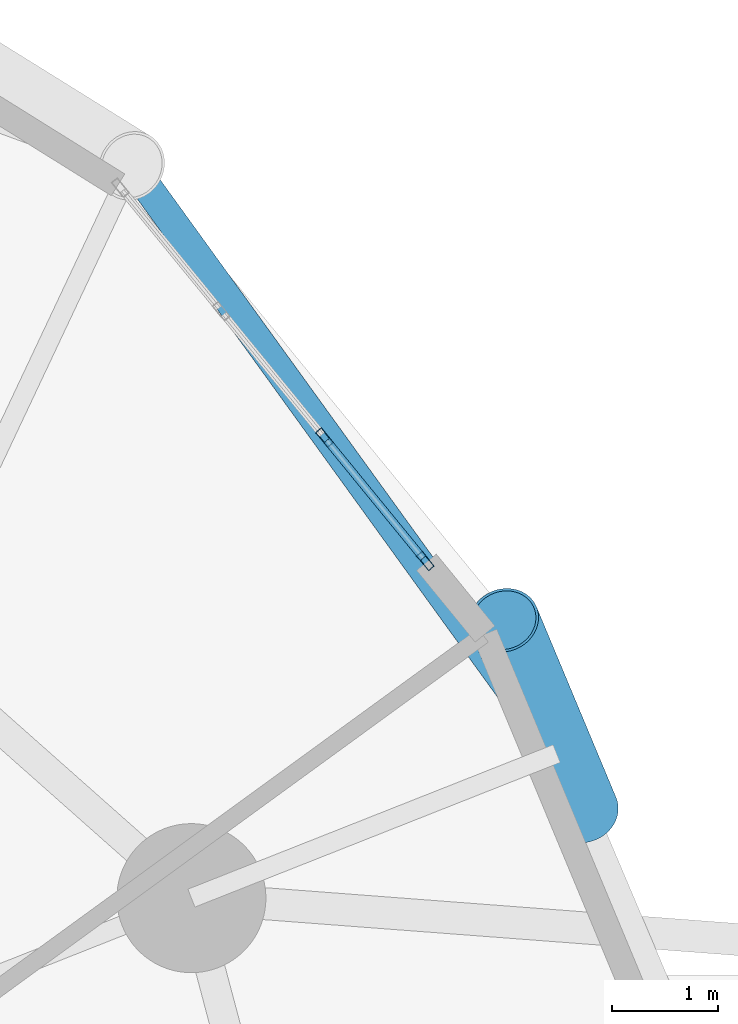
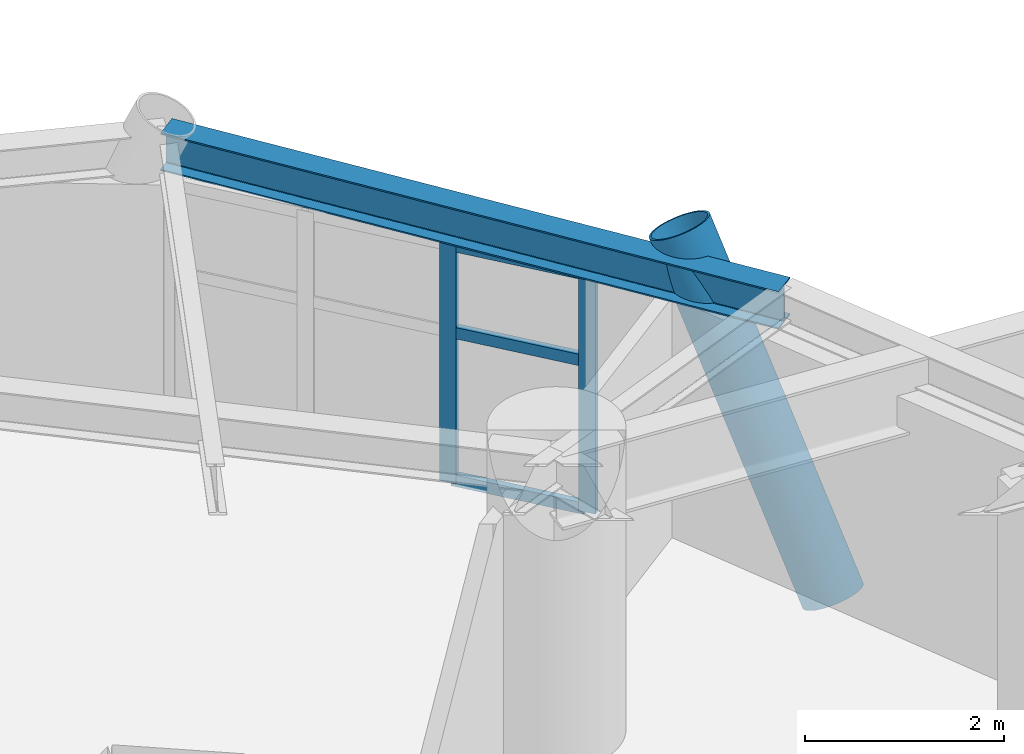
# One storey, part 3 of 19: 6 members, 1 beam, 1 element without a shape of its own.
"""IFC4 building model written with IfcOpenShell, lengths in metres."""

import ifcopenshell
import ifcopenshell.guid

model = None  # the IFC model being written
_history = None  # IfcOwnerHistory: only IFC2X3 demands one
_inside = {}  # id of a spatial element -> (the spatial element, [elements in it])
_under = {}  # id of a project, library or spatial element -> (it, [spatial elements below it])
_declared = {}  # id of a project -> (the project, [libraries it declares])
_typed = {}  # id of a type object -> (the type object, [elements of that type])
_made_of = {}  # id of a material, layer set ... -> (it, [elements and type objects made of it])


def new_model(schema):
    """Start an empty IFC model of exactly this schema.

    Asked for "IFC4X3", IfcOpenShell would pick the latest addendum, in which some entities
    have other attributes; the version numbers below select the first issue.
    IFC2X3 requires an IfcOwnerHistory on every rooted entity: one is made here for all.
    """
    global model, _history
    if schema == "IFC4X3":
        model = ifcopenshell.file(schema_version=(4, 3, 0, 0))
    else:
        model = ifcopenshell.file(schema=schema)
    _inside.clear()
    _under.clear()
    _declared.clear()
    _typed.clear()
    _made_of.clear()
    _history = None
    if model.schema == "IFC2X3":
        org = make("IfcOrganization", Name="unknown")
        user = make(
            "IfcPersonAndOrganization",
            ThePerson=make("IfcPerson", FamilyName="unknown"),
            TheOrganization=org,
        )
        app = make(
            "IfcApplication",
            ApplicationDeveloper=org,
            Version="unknown",
            ApplicationFullName="unknown",
            ApplicationIdentifier="unknown",
        )
        _history = make(
            "IfcOwnerHistory",
            OwningUser=user,
            OwningApplication=app,
            ChangeAction="ADDED",
            CreationDate=0,
        )
    return model


def make(cls, **values):
    """One entity of the class cls with the attributes given. An attribute that is None is left unset."""
    return model.create_entity(
        cls, **{name: value for name, value in values.items() if value is not None}
    )


def rooted(cls, **values):
    """An entity with a GlobalId (a new one), such as an element, a storey or a relation."""
    return make(cls, GlobalId=ifcopenshell.guid.new(), OwnerHistory=_history, **values)


def si_unit(unit_type, name, prefix=None):
    """IfcSIUnit, for example si_unit("LENGTHUNIT", "METRE", prefix="MILLI")."""
    return make("IfcSIUnit", UnitType=unit_type, Prefix=prefix, Name=name)


def assignment(units):
    """IfcUnitAssignment: the units of a project."""
    return None if units is None else make("IfcUnitAssignment", Units=units)


def point(xyz):
    """IfcCartesianPoint."""
    return None if xyz is None else make("IfcCartesianPoint", Coordinates=xyz)


def direction(xyz):
    """IfcDirection."""
    return None if xyz is None else make("IfcDirection", DirectionRatios=xyz)


def frame(location, z_axis=None, x_axis=None):
    """IfcAxis2Placement3D, a coordinate frame: its origin and axes. An axis left out is left unset."""
    return make(
        "IfcAxis2Placement3D",
        Location=point(location),
        Axis=direction(z_axis),
        RefDirection=direction(x_axis),
    )


def frame_2d(location, x_axis=None):
    """IfcAxis2Placement2D, a coordinate frame in the plane: its origin and x axis."""
    return make(
        "IfcAxis2Placement2D", Location=point(location), RefDirection=direction(x_axis)
    )


def origin():
    """The frame at (0, 0, 0) with its axes left unset."""
    return frame((0.0, 0.0, 0.0))


def origin_2d():
    """The frame at (0, 0) in the plane with its x axis left unset."""
    return frame_2d((0.0, 0.0))


def place(relative_to, where):
    """IfcLocalPlacement: puts the frame where relative to a parent placement (None: the world)."""
    return make(
        "IfcLocalPlacement", PlacementRelTo=relative_to, RelativePlacement=where
    )


def context(
    kind, dimensions, precision=None, world=None, true_north=None, identifier=None
):
    """IfcGeometricRepresentationContext, for example the 3D "Model" context."""
    return make(
        "IfcGeometricRepresentationContext",
        ContextIdentifier=identifier,
        ContextType=kind,
        CoordinateSpaceDimension=dimensions,
        Precision=precision,
        WorldCoordinateSystem=world,
        TrueNorth=true_north,
    )


def subcontext(parent, identifier, kind, view, scale=None):
    """IfcGeometricRepresentationSubContext, for example "Body" below "Model"."""
    return make(
        "IfcGeometricRepresentationSubContext",
        ContextIdentifier=identifier,
        ContextType=kind,
        ParentContext=parent,
        TargetScale=scale,
        TargetView=view,
    )


def project(units=None, contexts=None):
    """IfcProject with its units and contexts."""
    return rooted(
        "IfcProject",
        Name="project",
        RepresentationContexts=contexts,
        UnitsInContext=assignment(units),
    )


def spatial(cls, under=None, at=None, **own):
    """A site, building, storey or space (cls), placed at a placement, below another one or the project."""
    s = rooted(cls, ObjectPlacement=at, **own)
    if under is not None:
        _under.setdefault(under.id(), (under, []))[1].append(s)
    return s


def profile(cls, at=None, kind="AREA", **sizes):
    """A parametric profile (cls). Its sizes go by their IFC names, for example OverallWidth=200.0."""
    return make(cls, ProfileType=kind, Position=at, **sizes)


def hollow_rectangle(**sizes):
    """IfcRectangleHollowProfileDef."""
    return profile("IfcRectangleHollowProfileDef", **sizes)


def hollow_circle(**sizes):
    """IfcCircleHollowProfileDef."""
    return profile("IfcCircleHollowProfileDef", **sizes)


def i_section(**sizes):
    """IfcIShapeProfileDef."""
    return profile("IfcIShapeProfileDef", **sizes)


def extrude(swept, where, along, depth):
    """IfcExtrudedAreaSolid: the profile swept, set in the frame where, extruded along a direction by depth."""
    return make(
        "IfcExtrudedAreaSolid",
        SweptArea=swept,
        Position=where,
        ExtrudedDirection=direction(along),
        Depth=depth,
    )


def shape(context_of_items, identifier, shape_type, items):
    """IfcShapeRepresentation: the items that make up one representation, for example the "Body"."""
    return make(
        "IfcShapeRepresentation",
        ContextOfItems=context_of_items,
        RepresentationIdentifier=identifier,
        RepresentationType=shape_type,
        Items=items,
    )


def material(Name=None, Category=None):
    """IfcMaterial."""
    return make("IfcMaterial", Name=Name, Category=Category)


def layer(
    of_material, thickness, ventilated=None, Name=None, Category=None, Priority=None
):
    """IfcMaterialLayer: one layer of a wall or slab, of a material (None: an air gap)."""
    return make(
        "IfcMaterialLayer",
        Material=of_material,
        LayerThickness=thickness,
        IsVentilated=ventilated,
        Name=Name,
        Category=Category,
        Priority=Priority,
    )


def layer_set(layers, Name=None):
    """IfcMaterialLayerSet."""
    return make("IfcMaterialLayerSet", MaterialLayers=layers, LayerSetName=Name)


def material_profile(
    of_material, cross_section, Name=None, Category=None, Priority=None
):
    """IfcMaterialProfile: a cross section and its material."""
    return make(
        "IfcMaterialProfile",
        Name=Name,
        Material=of_material,
        Profile=cross_section,
        Priority=Priority,
        Category=Category,
    )


def profile_set(profiles, Name=None, composite=None):
    """IfcMaterialProfileSet."""
    return make(
        "IfcMaterialProfileSet",
        Name=Name,
        MaterialProfiles=profiles,
        CompositeProfile=composite,
    )


def made_of(thing, what):
    """Note that an element or type object is made of a material, layer set ...; save() writes the relation."""
    if what is not None:
        _made_of.setdefault(what.id(), (what, []))[1].append(thing)
    return thing


def type_object(cls, material=None, **own):
    """A type object (cls), such as IfcWallType, which elements share."""
    return made_of(rooted(cls, **own), material)


def element(
    cls,
    number,
    at=None,
    inside=None,
    cuts=None,
    type_object=None,
    material=None,
    context=None,
    identifier="Body",
    shape_type=None,
    held_by="IfcProductDefinitionShape",
    body=None,
    shapes=None,
    **own,
):
    """One element of the class cls, such as IfcWall. Its Tag is "e" and its number.

    at: its placement. inside: the storey or other place that contains it. cuts: it is an
    opening in that element (IfcRelVoidsElement). A single representation is given by context,
    identifier, shape_type and body (its items); several are given by shapes. held_by: the class
    of the entity that holds the representations. save() writes the other relations.
    """
    e = rooted(cls, Tag="e%d" % number, ObjectPlacement=at, **own)
    if body is not None:
        shapes = [shape(context, identifier, shape_type, body)]
    if shapes is not None:
        e.Representation = make(held_by, Representations=shapes)
    if inside is not None:
        _inside.setdefault(inside.id(), (inside, []))[1].append(e)
    if cuts is not None:
        rooted(
            "IfcRelVoidsElement", RelatingBuildingElement=cuts, RelatedOpeningElement=e
        )
    if type_object is not None:
        _typed.setdefault(type_object.id(), (type_object, []))[1].append(e)
    return made_of(e, material)


def aggregate(whole, parts):
    """IfcRelAggregates: a whole, such as a stair, and the parts it consists of."""
    return rooted("IfcRelAggregates", RelatingObject=whole, RelatedObjects=parts)


def save(model, path):
    """Write the relations noted so far, then the file.

    IfcRelAggregates (storeys below a building ...), IfcRelContainedInSpatialStructure (elements
    in a storey), IfcRelDefinesByType, IfcRelAssociatesMaterial and IfcRelDeclares: one each for
    every whole, place, type object, material and project.
    """
    for whole, parts in _under.values():
        aggregate(whole, parts)
    for where, things in _inside.values():
        rooted(
            "IfcRelContainedInSpatialStructure",
            RelatedElements=things,
            RelatingStructure=where,
        )
    for kind, things in _typed.values():
        rooted("IfcRelDefinesByType", RelatedObjects=things, RelatingType=kind)
    for what, things in _made_of.values():
        rooted("IfcRelAssociatesMaterial", RelatedObjects=things, RelatingMaterial=what)
    for by, libraries in _declared.values():
        rooted("IfcRelDeclares", RelatingContext=by, RelatedDefinitions=libraries)
    model.write(path)


model = new_model("IFC4")

# Units and contexts
model_context = context("Model", 3, precision=1e-05, world=origin(), true_north=direction((0.0, 1.0)))
body_context = subcontext(model_context, "Body", "Model", "MODEL_VIEW")
ifc_project = project(units=[si_unit("LENGTHUNIT", "METRE"), si_unit("AREAUNIT", "SQUARE_METRE"), si_unit("VOLUMEUNIT", "CUBIC_METRE"), si_unit("PLANEANGLEUNIT", "RADIAN"), si_unit("MASSUNIT", "GRAM", prefix="KILO")], contexts=[model_context])

# Site, building, storey
site_placement = place(None, origin())
site = spatial("IfcSite", under=ifc_project, at=site_placement, CompositionType="ELEMENT")
building_placement = place(site_placement, origin())
building = spatial("IfcBuilding", under=site, at=building_placement, Name="Cununo Teusaquillo Station Towers", CompositionType="ELEMENT")
storey_placement = place(building_placement, frame((0.0, 0.0, 136.60009765625)))
storey = spatial("IfcBuildingStorey", under=building, at=storey_placement, Name="L43", CompositionType="ELEMENT", Elevation=136.60009765625)

# Beam
ifc_material_1 = material(Name="Steel ASTM A572 Grade 50", Category="steel")
ifc_material_profile_1 = material_profile(ifc_material_1, i_section(OverallWidth=0.280029296875, OverallDepth=0.462890625, WebThickness=0.0107421875, FlangeThickness=0.017333984375, FilletRadius=0.013916015625, at=origin_2d()), Name="W18X76")
ifc_profile_set_1 = profile_set([ifc_material_profile_1], Name="Steel ASTM A572 Grade 50")
beam_type = type_object("IfcBeamType", Name="BM-RING-Z2", PredefinedType="SPANDREL", material=ifc_profile_set_1)
beam_placement = place(storey_placement, frame((29.77880859375, 34.586181640625, 3.20849609375), z_axis=(-0.58594455724, 0.810351143543, 0.0), x_axis=(-0.810351143543, -0.58594455724, 0.0)))
element("IfcBeam", 1, at=beam_placement, inside=storey, type_object=beam_type, Name="L43 Tower A Spandrel Ring Beam 03", PredefinedType="SPANDREL", context=body_context, shape_type="SweptSolid", body=[
    extrude(i_section(OverallWidth=0.280029296875, OverallDepth=0.462890625, WebThickness=0.0107421875, FlangeThickness=0.017333984375, FilletRadius=0.013916015625, at=origin_2d()), origin(), (0.0, 0.0, 1.0), 6.8115234375),
])

# Curtain wall, members
ifc_material_2 = material(Name="Ceramic-fritted dark low-E double glazing", Category="glass")
ifc_layer = layer(ifc_material_2, 0.179931640625)
ifc_layer_set = layer_set([ifc_layer], Name="Ceramic-fritted dark low-E double glazing")
curtain_wall_type = type_object("IfcCurtainWallType", Name="CW-SYS-04", PredefinedType="USERDEFINED", material=ifc_layer_set)
curtain_wall_placement = place(storey_placement, origin())
curtain_wall = element("IfcCurtainWall", 2, at=curtain_wall_placement, inside=storey, type_object=curtain_wall_type, Name="L43 Tower A Facade Curtain Wall C02", ObjectType="FRITTED GLAZING", PredefinedType="USERDEFINED")
ifc_material_3 = material(Name="Anodised dark bronze aluminium EN AW-6063-T6", Category="aluminium")
ifc_material_profile_2 = material_profile(ifc_material_3, hollow_rectangle(XDim=0.070068359375, YDim=0.179931640625, WallThickness=0.00390625, at=origin_2d()), Name="CW-MULL-70x180")
ifc_profile_set_2 = profile_set([ifc_material_profile_2], Name="Anodised dark bronze aluminium EN AW-6063-T6")
member_type_1 = type_object("IfcMemberType", Name="CWM-180", PredefinedType="MULLION", material=ifc_profile_set_2)
member_1_placement = place(storey_placement, frame((27.59765625, 37.55419921875, 0.0), z_axis=(0.0, 0.0, 1.0), x_axis=(0.774394127889, 0.63270351247, 0.0)))
member_1 = element("IfcMember", 3, at=member_1_placement, type_object=member_type_1, Name="CW-04 mullion 3", PredefinedType="MULLION", context=body_context, shape_type="SweptSolid", body=[
    extrude(hollow_rectangle(XDim=0.070068359375, YDim=0.179931640625, WallThickness=0.00390625, at=origin_2d()), origin(), (0.0, 0.0, 1.0), 2.948974609375),
])
member_2_placement = place(storey_placement, frame((28.54541015625, 36.394287109375, 0.0), z_axis=(0.0, 0.0, 1.0), x_axis=(0.774394127889, 0.63270351247, 0.0)))
member_2 = element("IfcMember", 4, at=member_2_placement, type_object=member_type_1, Name="CW-04 mullion 4", PredefinedType="MULLION", context=body_context, shape_type="SweptSolid", body=[
    extrude(hollow_rectangle(XDim=0.070068359375, YDim=0.179931640625, WallThickness=0.00390625, at=origin_2d()), origin(), (0.0, 0.0, 1.0), 2.948974609375),
])
ifc_material_4 = material(Name="Anodised dark bronze aluminium EN AW-6063-T6", Category="aluminium")
ifc_material_profile_3 = material_profile(ifc_material_4, hollow_rectangle(XDim=0.070068359375, YDim=0.139892578125, WallThickness=0.00390625, at=origin_2d()), Name="CW-TRAN-70x140")
ifc_profile_set_3 = profile_set([ifc_material_profile_3], Name="Anodised dark bronze aluminium EN AW-6063-T6")
member_type_2 = type_object("IfcMemberType", Name="CWT-140", PredefinedType="USERDEFINED", material=ifc_profile_set_3)
member_3_placement = place(storey_placement, frame((27.619873046875, 37.527099609375, 0.034912109375), z_axis=(0.632669622249, -0.774421815991, 0.0), x_axis=(0.774421815991, 0.632669622249, 0.0)))
member_3 = element("IfcMember", 5, at=member_3_placement, type_object=member_type_2, Name="CW-04 transom 3.1", ObjectType="TRANSOM", PredefinedType="USERDEFINED", context=body_context, shape_type="SweptSolid", body=[
    extrude(hollow_rectangle(XDim=0.070068359375, YDim=0.139892578125, WallThickness=0.00390625, at=origin_2d()), origin(), (0.0, 0.0, 1.0), 1.427734375),
])
member_4_placement = place(storey_placement, frame((27.619873046875, 37.527099609375, 1.849853515625), z_axis=(0.632669622249, -0.774421815991, 0.0), x_axis=(0.774421815991, 0.632669622249, 0.0)))
member_4 = element("IfcMember", 6, at=member_4_placement, type_object=member_type_2, Name="CW-04 transom 3.2", ObjectType="TRANSOM", PredefinedType="USERDEFINED", context=body_context, shape_type="SweptSolid", body=[
    extrude(hollow_rectangle(XDim=0.070068359375, YDim=0.139892578125, WallThickness=0.00390625, at=origin_2d()), origin(), (0.0, 0.0, 1.0), 1.427734375),
])
member_5_placement = place(storey_placement, frame((27.619873046875, 37.527099609375, 2.913818359375), z_axis=(0.632669622249, -0.774421815991, 0.0), x_axis=(0.774421815991, 0.632669622249, 0.0)))
member_5 = element("IfcMember", 7, at=member_5_placement, type_object=member_type_2, Name="CW-04 transom 3.3", ObjectType="TRANSOM", PredefinedType="USERDEFINED", context=body_context, shape_type="SweptSolid", body=[
    extrude(hollow_rectangle(XDim=0.070068359375, YDim=0.139892578125, WallThickness=0.00390625, at=origin_2d()), origin(), (0.0, 0.0, 1.0), 1.427734375),
])
aggregate(curtain_wall, [member_1, member_2, member_3, member_4, member_5])

# Member
ifc_material_5 = material(Name="Steel EN 10025-2 S355J2", Category="steel")
ifc_material_profile_4 = material_profile(ifc_material_5, hollow_circle(Radius=0.330078125, WallThickness=0.02490234375, at=origin_2d()), Name="CHS 660x25")
ifc_profile_set_4 = profile_set([ifc_material_profile_4], Name="Steel EN 10025-2 S355J2")
member_type_3 = type_object("IfcMemberType", Name="MBR-DIAG-Z2", PredefinedType="BRACE", material=ifc_profile_set_4)
member_6_placement = place(storey_placement, frame((30.031494140625, 34.0458984375, -0.14013671875), z_axis=(-0.17831061352, 0.427131003087, 0.886433545906), x_axis=(-0.922816406816, -0.385240028179, 0.0)))
element("IfcMember", 8, at=member_6_placement, inside=storey, type_object=member_type_3, Name="L43 Tower A Folded-Zigzag Diagrid Tube C01", PredefinedType="BRACE", context=body_context, shape_type="SweptSolid", body=[
    extrude(hollow_circle(Radius=0.330078125, WallThickness=0.02490234375, at=origin_2d()), origin(), (0.0, 0.0, 1.0), 4.196533203125),
])

save(model, "model.ifc")
